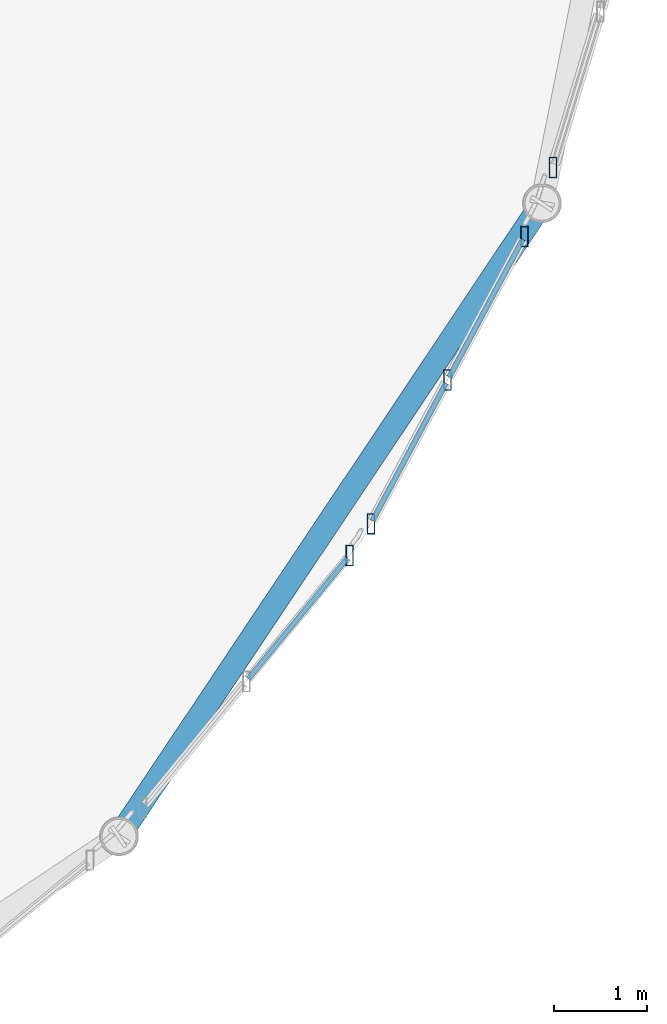
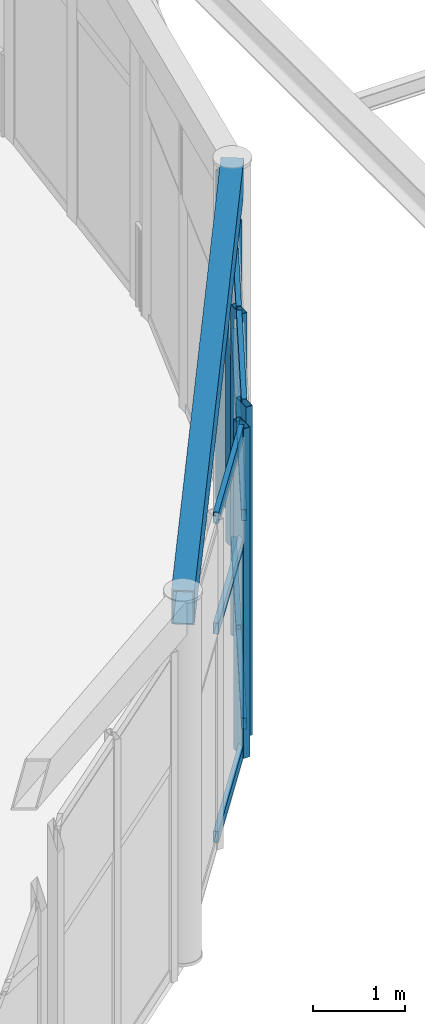
# One storey, part 32 of 143: 14 members, 1 beam, 3 elements without a shape of their own.
"""IFC4 building model written with IfcOpenShell, lengths in metres."""

from ifc_helpers import new_model, si_unit, direction, frame, origin, origin_2d, place, context, subcontext, project, spatial, hollow_rectangle, extrude, material, layer, layer_set, material_profile, profile_set, type_object, element, aggregate, save


model = new_model("IFC4")

# Units and contexts
model_context = context("Model", 3, precision=1e-05, world=origin(), true_north=direction((0.0, 1.0)))
body_context = subcontext(model_context, "Body", "Model", "MODEL_VIEW")
ifc_project = project(units=[si_unit("LENGTHUNIT", "METRE"), si_unit("AREAUNIT", "SQUARE_METRE"), si_unit("VOLUMEUNIT", "CUBIC_METRE"), si_unit("PLANEANGLEUNIT", "RADIAN"), si_unit("MASSUNIT", "GRAM", prefix="KILO")], contexts=[model_context])

# Site, building, storey
site_placement = place(None, origin())
site = spatial("IfcSite", under=ifc_project, at=site_placement, CompositionType="ELEMENT")
building_placement = place(site_placement, origin())
building = spatial("IfcBuilding", under=site, at=building_placement, Name="Marlcrest Central Station", CompositionType="ELEMENT")
storey_placement = place(building_placement, frame((0.0, 0.0, 4.800048828125)))
storey = spatial("IfcBuildingStorey", under=building, at=storey_placement, Name="L01", CompositionType="ELEMENT", Elevation=4.800048828125)

# Curtain wall, member
ifc_material_1 = material(Name="Anodised aluminium and hurricane laminated glass", Category="aluminium")
ifc_layer = layer(ifc_material_1, 0.219970703125, Name="CW-U1")
ifc_layer_set = layer_set([ifc_layer], Name="Anodised aluminium and hurricane laminated glass")
curtain_wall_type = type_object("IfcCurtainWallType", Name="CW-U1", PredefinedType="USERDEFINED", material=ifc_layer_set)
curtain_wall_1_placement = place(storey_placement, origin())
curtain_wall_1 = element("IfcCurtainWall", 1, at=curtain_wall_1_placement, inside=storey, type_object=curtain_wall_type, Name="cw-L01-0021", ObjectType="UNITISED_CURTAIN_WALL", PredefinedType="USERDEFINED")
ifc_material_2 = material(Name="Anodised aluminium 6063-T6", Category="aluminium")
ifc_material_profile_1 = material_profile(ifc_material_2, hollow_rectangle(XDim=0.080078125, YDim=0.219970703125, WallThickness=0.006103515625, at=origin_2d()), Name="AA-RHS 220x80x6")
ifc_profile_set_1 = profile_set([ifc_material_profile_1], Name="Anodised aluminium 6063-T6")
member_type_1 = type_object("IfcMemberType", Name="ML-01", PredefinedType="MULLION", material=ifc_profile_set_1)
member_1_placement = place(storey_placement, frame((125.330322265625, 10.673828125, -0.030029296875), z_axis=(0.0, 0.0, 1.0), x_axis=(1.0, 0.0, 0.0)))
member_1 = element("IfcMember", 2, at=member_1_placement, type_object=member_type_1, Name="cw-L01-0021-ml-0", PredefinedType="MULLION", context=body_context, shape_type="SweptSolid", body=[
    extrude(hollow_rectangle(XDim=0.080078125, YDim=0.219970703125, WallThickness=0.006103515625, at=origin_2d()), origin(), (0.0, 0.0, 1.0), 4.35986328125),
])

# Curtain wall, members
curtain_wall_2_placement = place(storey_placement, origin())
curtain_wall_2 = element("IfcCurtainWall", 3, at=curtain_wall_2_placement, inside=storey, type_object=curtain_wall_type, Name="cw-L01-0022", ObjectType="UNITISED_CURTAIN_WALL", PredefinedType="USERDEFINED")
member_2_placement = place(storey_placement, frame((127.210693359375, 14.107666015625, -0.030029296875), z_axis=(0.0, 0.0, 1.0), x_axis=(1.0, 0.0, 0.0)))
member_2 = element("IfcMember", 4, at=member_2_placement, type_object=member_type_1, Name="cw-L01-0022-ml-0", PredefinedType="MULLION", context=body_context, shape_type="SweptSolid", body=[
    extrude(hollow_rectangle(XDim=0.080078125, YDim=0.219970703125, WallThickness=0.006103515625, at=origin_2d()), origin(), (0.0, 0.0, 1.0), 4.35986328125),
])
member_3_placement = place(storey_placement, frame((126.38427734375, 12.56103515625, -0.030029296875), z_axis=(0.0, 0.0, 1.0), x_axis=(1.0, 0.0, 0.0)))
member_3 = element("IfcMember", 5, at=member_3_placement, type_object=member_type_1, Name="cw-L01-0022-ml-1", PredefinedType="MULLION", context=body_context, shape_type="SweptSolid", body=[
    extrude(hollow_rectangle(XDim=0.080078125, YDim=0.219970703125, WallThickness=0.006103515625, at=origin_2d()), origin(), (0.0, 0.0, 1.0), 4.35986328125),
])
member_4_placement = place(storey_placement, frame((125.55810546875, 11.014404296875, -0.030029296875), z_axis=(0.0, 0.0, 1.0), x_axis=(1.0, 0.0, 0.0)))
member_4 = element("IfcMember", 6, at=member_4_placement, type_object=member_type_1, Name="cw-L01-0022-ml-2", PredefinedType="MULLION", context=body_context, shape_type="SweptSolid", body=[
    extrude(hollow_rectangle(XDim=0.080078125, YDim=0.219970703125, WallThickness=0.006103515625, at=origin_2d()), origin(), (0.0, 0.0, 1.0), 4.35986328125),
])

# Curtain wall, member
curtain_wall_3_placement = place(storey_placement, origin())
curtain_wall_3 = element("IfcCurtainWall", 7, at=curtain_wall_3_placement, inside=storey, type_object=curtain_wall_type, Name="cw-L01-0023", ObjectType="UNITISED_CURTAIN_WALL", PredefinedType="USERDEFINED")
member_5_placement = place(storey_placement, frame((127.518310546875, 14.8505859375, -0.030029296875), z_axis=(0.0, 0.0, 1.0), x_axis=(1.0, 0.0, 0.0)))
member_5 = element("IfcMember", 8, at=member_5_placement, type_object=member_type_1, Name="cw-L01-0023-ml-2", PredefinedType="MULLION", context=body_context, shape_type="SweptSolid", body=[
    extrude(hollow_rectangle(XDim=0.080078125, YDim=0.219970703125, WallThickness=0.006103515625, at=origin_2d()), origin(), (0.0, 0.0, 1.0), 4.35986328125),
])
aggregate(curtain_wall_3, [member_5])

# Beam
ifc_material_3 = material(Name="Steel S355", Category="steel")
ifc_material_profile_2 = material_profile(ifc_material_3, hollow_rectangle(XDim=0.25, YDim=0.449951171875, WallThickness=0.01611328125, at=origin_2d()), Name="RHS 450x250x16")
ifc_profile_set_2 = profile_set([ifc_material_profile_2], Name="Steel S355")
beam_type = type_object("IfcBeamType", Name="SP-02", PredefinedType="SPANDREL", material=ifc_profile_set_2)
beam_placement = place(storey_placement, frame((122.84912109375, 7.65087890625, 4.58984375), z_axis=(0.55551129271, 0.831508991937, 0.0), x_axis=(-0.831508991937, 0.55551129271, 0.0)))
element("IfcBeam", 9, at=beam_placement, inside=storey, type_object=beam_type, Name="bm-SP-02-L01-01363", PredefinedType="SPANDREL", context=body_context, shape_type="SweptSolid", body=[
    extrude(hollow_rectangle(XDim=0.25, YDim=0.449951171875, WallThickness=0.01611328125, at=origin_2d()), origin(), (0.0, 0.0, 1.0), 8.19384765625),
])

# Member
ifc_material_profile_3 = material_profile(ifc_material_2, hollow_rectangle(XDim=0.06005859375, YDim=0.14990234375, WallThickness=0.00390625, at=origin_2d()), Name="AA-RHS 150x60x4")
ifc_profile_set_3 = profile_set([ifc_material_profile_3], Name="Anodised aluminium 6063-T6")
member_type_2 = type_object("IfcMemberType", Name="TR-01", PredefinedType="USERDEFINED", material=ifc_profile_set_3)
member_6_placement = place(storey_placement, frame((125.306396484375, 10.64453125, 0.0400390625), z_axis=(-0.634512842936, -0.772912318539, 0.0), x_axis=(0.772912318539, -0.634512842936, 0.0)))
member_6 = element("IfcMember", 10, at=member_6_placement, type_object=member_type_2, Name="cw-L01-0021-tr-0-sill", ObjectType="TRANSOM", PredefinedType="USERDEFINED", context=body_context, shape_type="SweptSolid", body=[
    extrude(hollow_rectangle(XDim=0.06005859375, YDim=0.14990234375, WallThickness=0.00390625, at=origin_2d()), origin(), (0.0, 0.0, 1.0), 1.677490234375),
])

member_7_placement = place(storey_placement, frame((125.306396484375, 10.64453125, 2.794921875), z_axis=(-0.634512842936, -0.772912318539, 0.0), x_axis=(0.772912318539, -0.634512842936, 0.0)))
member_7 = element("IfcMember", 11, at=member_7_placement, type_object=member_type_2, Name="cw-L01-0021-tr-0-mid", ObjectType="TRANSOM", PredefinedType="USERDEFINED", context=body_context, shape_type="SweptSolid", body=[
    extrude(hollow_rectangle(XDim=0.06005859375, YDim=0.14990234375, WallThickness=0.00390625, at=origin_2d()), origin(), (0.0, 0.0, 1.0), 1.677490234375),
])

member_8_placement = place(storey_placement, frame((125.306396484375, 10.64453125, 4.260009765625), z_axis=(-0.634512842936, -0.772912318539, 0.0), x_axis=(0.772912318539, -0.634512842936, 0.0)))
member_8 = element("IfcMember", 12, at=member_8_placement, type_object=member_type_2, Name="cw-L01-0021-tr-0-head", ObjectType="TRANSOM", PredefinedType="USERDEFINED", context=body_context, shape_type="SweptSolid", body=[
    extrude(hollow_rectangle(XDim=0.06005859375, YDim=0.14990234375, WallThickness=0.00390625, at=origin_2d()), origin(), (0.0, 0.0, 1.0), 1.677490234375),
])

aggregate(curtain_wall_1, [member_1, member_6, member_7, member_8])

member_9_placement = place(storey_placement, frame((127.192626953125, 14.07421875, 0.0400390625), z_axis=(-0.471207478568, -0.882022398889, 0.0), x_axis=(0.882022398889, -0.471207478568, 0.0)))
member_9 = element("IfcMember", 13, at=member_9_placement, type_object=member_type_2, Name="cw-L01-0022-tr-0-sill", ObjectType="TRANSOM", PredefinedType="USERDEFINED", context=body_context, shape_type="SweptSolid", body=[
    extrude(hollow_rectangle(XDim=0.06005859375, YDim=0.14990234375, WallThickness=0.00390625, at=origin_2d()), origin(), (0.0, 0.0, 1.0), 1.677734375),
])

member_10_placement = place(storey_placement, frame((127.192626953125, 14.07421875, 2.794921875), z_axis=(-0.471207478568, -0.882022398889, 0.0), x_axis=(0.882022398889, -0.471207478568, 0.0)))
member_10 = element("IfcMember", 14, at=member_10_placement, type_object=member_type_2, Name="cw-L01-0022-tr-0-mid", ObjectType="TRANSOM", PredefinedType="USERDEFINED", context=body_context, shape_type="SweptSolid", body=[
    extrude(hollow_rectangle(XDim=0.06005859375, YDim=0.14990234375, WallThickness=0.00390625, at=origin_2d()), origin(), (0.0, 0.0, 1.0), 1.677734375),
])

member_11_placement = place(storey_placement, frame((127.192626953125, 14.07421875, 4.260009765625), z_axis=(-0.471207478568, -0.882022398889, 0.0), x_axis=(0.882022398889, -0.471207478568, 0.0)))
member_11 = element("IfcMember", 15, at=member_11_placement, type_object=member_type_2, Name="cw-L01-0022-tr-0-head", ObjectType="TRANSOM", PredefinedType="USERDEFINED", context=body_context, shape_type="SweptSolid", body=[
    extrude(hollow_rectangle(XDim=0.06005859375, YDim=0.14990234375, WallThickness=0.00390625, at=origin_2d()), origin(), (0.0, 0.0, 1.0), 1.677734375),
])

member_12_placement = place(storey_placement, frame((126.366455078125, 12.527587890625, 0.0400390625), z_axis=(-0.47126796736, -0.881990080976, 0.0), x_axis=(0.881990080976, -0.47126796736, 0.0)))
member_12 = element("IfcMember", 16, at=member_12_placement, type_object=member_type_2, Name="cw-L01-0022-tr-1-sill", ObjectType="TRANSOM", PredefinedType="USERDEFINED", context=body_context, shape_type="SweptSolid", body=[
    extrude(hollow_rectangle(XDim=0.06005859375, YDim=0.14990234375, WallThickness=0.00390625, at=origin_2d()), origin(), (0.0, 0.0, 1.0), 1.677490234375),
])

member_13_placement = place(storey_placement, frame((126.366455078125, 12.527587890625, 2.794921875), z_axis=(-0.47126796736, -0.881990080976, 0.0), x_axis=(0.881990080976, -0.47126796736, 0.0)))
member_13 = element("IfcMember", 17, at=member_13_placement, type_object=member_type_2, Name="cw-L01-0022-tr-1-mid", ObjectType="TRANSOM", PredefinedType="USERDEFINED", context=body_context, shape_type="SweptSolid", body=[
    extrude(hollow_rectangle(XDim=0.06005859375, YDim=0.14990234375, WallThickness=0.00390625, at=origin_2d()), origin(), (0.0, 0.0, 1.0), 1.677490234375),
])

member_14_placement = place(storey_placement, frame((126.366455078125, 12.527587890625, 4.260009765625), z_axis=(-0.47126796736, -0.881990080976, 0.0), x_axis=(0.881990080976, -0.47126796736, 0.0)))
member_14 = element("IfcMember", 18, at=member_14_placement, type_object=member_type_2, Name="cw-L01-0022-tr-1-head", ObjectType="TRANSOM", PredefinedType="USERDEFINED", context=body_context, shape_type="SweptSolid", body=[
    extrude(hollow_rectangle(XDim=0.06005859375, YDim=0.14990234375, WallThickness=0.00390625, at=origin_2d()), origin(), (0.0, 0.0, 1.0), 1.677490234375),
])

aggregate(curtain_wall_2, [member_2, member_3, member_4, member_9, member_10, member_11, member_12, member_13, member_14])

save(model, "model.ifc")
